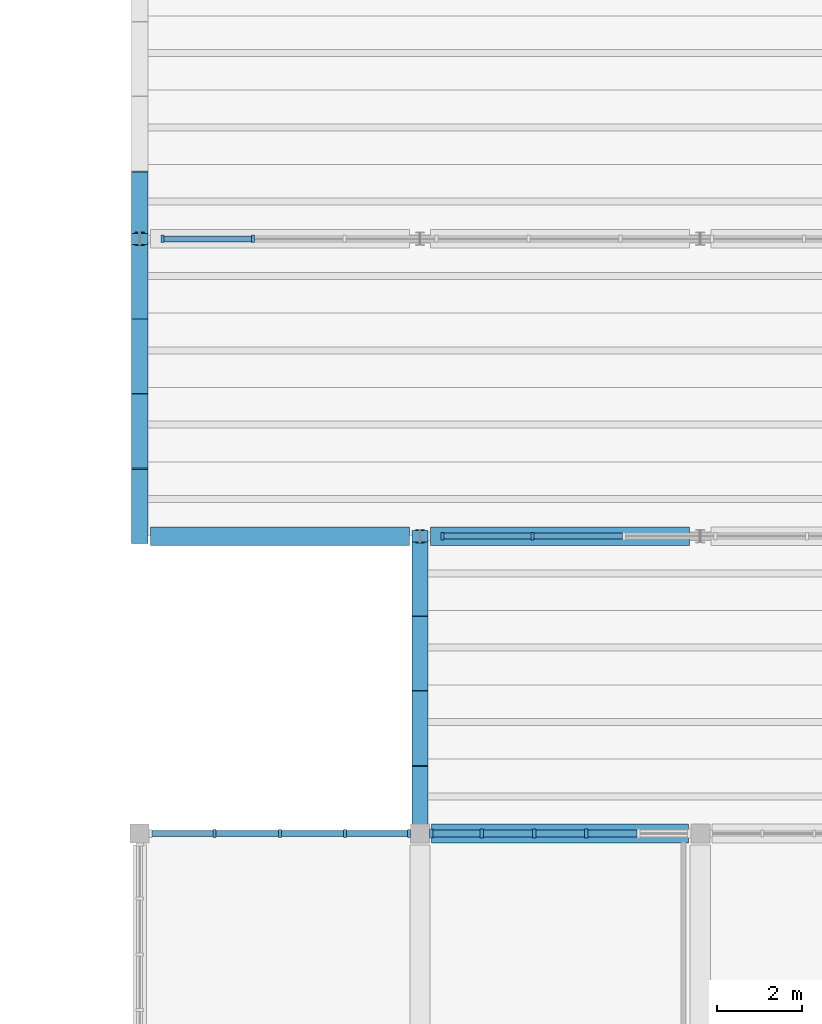
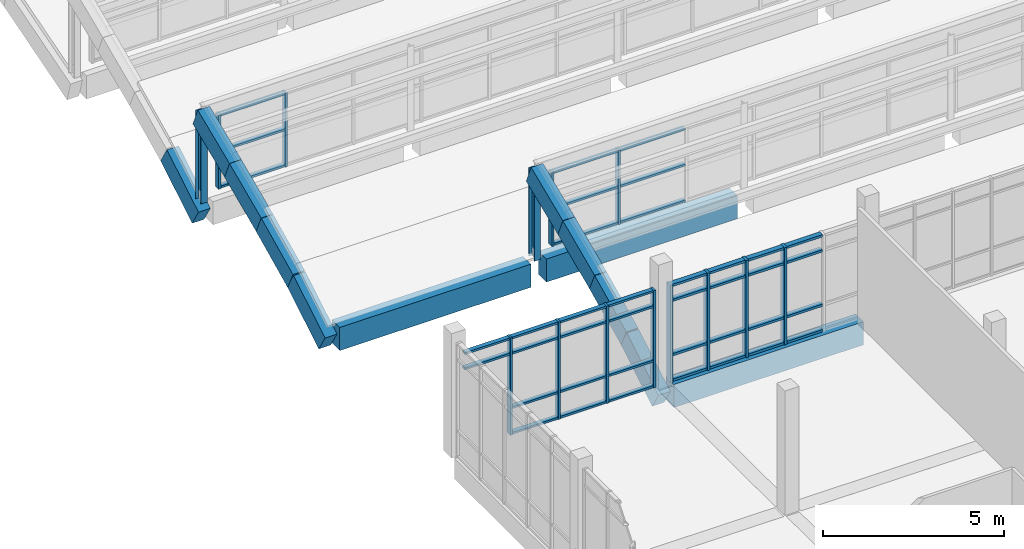
# One storey, part 6 of 92: 53 members, 12 beams, 4 elements without a shape of their own.
"""IFC4 building model written with IfcOpenShell, lengths in metres."""

from ifc_helpers import new_model, si_unit, direction, frame, origin, origin_2d, place, context, subcontext, project, spatial, rectangle, i_section, extrude, material, material_profile, profile_set, type_object, element, aggregate, save


model = new_model("IFC4")

# Units and contexts
model_context = context("Model", 3, precision=1e-05, world=origin(), true_north=direction((0.0, 1.0)))
body_context = subcontext(model_context, "Body", "Model", "MODEL_VIEW")
ifc_project = project(units=[si_unit("LENGTHUNIT", "METRE"), si_unit("AREAUNIT", "SQUARE_METRE"), si_unit("VOLUMEUNIT", "CUBIC_METRE"), si_unit("PLANEANGLEUNIT", "RADIAN"), si_unit("MASSUNIT", "GRAM", prefix="KILO")], contexts=[model_context])

# Site, building, storey
site_placement = place(None, origin())
site = spatial("IfcSite", under=ifc_project, at=site_placement, CompositionType="ELEMENT")
building_placement = place(site_placement, origin())
building = spatial("IfcBuilding", under=site, at=building_placement, Name="Ciguamira Faculty of Natural Sciences", CompositionType="ELEMENT")
storey_placement = place(building_placement, frame((0.0, 0.0, 16.800048828125)))
storey = spatial("IfcBuildingStorey", under=building, at=storey_placement, Name="L04", CompositionType="ELEMENT", Elevation=16.800048828125)

# Curtain wall, members
ifc_material_1 = material(Name="Anodized aluminium curtain wall", Category="aluminium")
curtain_wall_type_1 = type_object("IfcCurtainWallType", Name="CurtainWall_CW-05", PredefinedType="USERDEFINED", material=ifc_material_1)
curtain_wall_1_placement = place(storey_placement, origin())
curtain_wall_1 = element("IfcCurtainWall", 1, at=curtain_wall_1_placement, inside=storey, type_object=curtain_wall_type_1, Name="L04 unitised curtain wall 0113", ObjectType="UNITISED CURTAIN WALL", PredefinedType="USERDEFINED")
ifc_material_2 = material(Name="Anodized aluminium mullion", Category="aluminium")
ifc_material_profile_1 = material_profile(ifc_material_2, rectangle(XDim=0.070068359375, YDim=0.179931640625, at=origin_2d()), Name="ALU-MUL-70X180")
ifc_profile_set_1 = profile_set([ifc_material_profile_1], Name="Anodized aluminium mullion")
member_type_1 = type_object("IfcMemberType", Name="CWMullion_CWM-02", PredefinedType="MULLION", material=ifc_profile_set_1)
member_1_placement = place(storey_placement, frame((59.0625, 38.0, 0.0), z_axis=(0.0, 0.0, 1.0), x_axis=(1.0, 0.0, 0.0)))
member_1 = element("IfcMember", 2, at=member_1_placement, type_object=member_type_1, Name="CW-05 mullion 2", PredefinedType="MULLION", context=body_context, shape_type="SweptSolid", body=[
    extrude(rectangle(XDim=0.070068359375, YDim=0.179931640625, at=origin_2d()), origin(), (0.0, 0.0, 1.0), 3.284912109375),
])
member_2_placement = place(storey_placement, frame((60.60009765625, 38.0, 0.0), z_axis=(0.0, 0.0, 1.0), x_axis=(1.0, 0.0, 0.0)))
member_2 = element("IfcMember", 3, at=member_2_placement, type_object=member_type_1, Name="CW-05 mullion 3", PredefinedType="MULLION", context=body_context, shape_type="SweptSolid", body=[
    extrude(rectangle(XDim=0.070068359375, YDim=0.179931640625, at=origin_2d()), origin(), (0.0, 0.0, 1.0), 3.284912109375),
])
member_3_placement = place(storey_placement, frame((62.137451171875, 38.0, 0.0), z_axis=(0.0, 0.0, 1.0), x_axis=(1.0, 0.0, 0.0)))
member_3 = element("IfcMember", 4, at=member_3_placement, type_object=member_type_1, Name="CW-05 mullion 4", PredefinedType="MULLION", context=body_context, shape_type="SweptSolid", body=[
    extrude(rectangle(XDim=0.070068359375, YDim=0.179931640625, at=origin_2d()), origin(), (0.0, 0.0, 1.0), 3.284912109375),
])
member_4_placement = place(storey_placement, frame((63.639892578125, 38.0, 0.0), z_axis=(0.0, 0.0, 1.0), x_axis=(1.0, 0.0, 0.0)))
member_4 = element("IfcMember", 5, at=member_4_placement, type_object=member_type_1, Name="CW-05 mullion 5", PredefinedType="MULLION", context=body_context, shape_type="SweptSolid", body=[
    extrude(rectangle(XDim=0.070068359375, YDim=0.179931640625, at=origin_2d()), origin(), (0.0, 0.0, 1.0), 3.284912109375),
])

curtain_wall_type_2 = type_object("IfcCurtainWallType", Name="CurtainWall_CW-02", PredefinedType="USERDEFINED", material=ifc_material_1)
curtain_wall_2_placement = place(storey_placement, origin())
curtain_wall_2 = element("IfcCurtainWall", 6, at=curtain_wall_2_placement, inside=storey, type_object=curtain_wall_type_2, Name="V4 north-light wave 1 clerestory glazing 1", ObjectType="UNITISED CURTAIN WALL", PredefinedType="USERDEFINED")
member_5_placement = place(storey_placement, frame((64.43505859375, 45.0, 0.25), z_axis=(0.0, 0.0, 1.0), x_axis=(1.0, 0.0, 0.0)))
member_5 = element("IfcMember", 7, at=member_5_placement, type_object=member_type_1, Name="CW-02 mullion 1", PredefinedType="MULLION", context=body_context, shape_type="SweptSolid", body=[
    extrude(rectangle(XDim=0.070068359375, YDim=0.179931640625, at=origin_2d()), origin(), (0.0, 0.0, 1.0), 2.5),
])
member_6_placement = place(storey_placement, frame((66.552490234375, 45.0, 0.25), z_axis=(0.0, 0.0, 1.0), x_axis=(1.0, 0.0, 0.0)))
member_6 = element("IfcMember", 8, at=member_6_placement, type_object=member_type_1, Name="CW-02 mullion 2", PredefinedType="MULLION", context=body_context, shape_type="SweptSolid", body=[
    extrude(rectangle(XDim=0.070068359375, YDim=0.179931640625, at=origin_2d()), origin(), (0.0, 0.0, 1.0), 2.5),
])

curtain_wall_type_3 = type_object("IfcCurtainWallType", Name="CurtainWall_CW-03", PredefinedType="USERDEFINED", material=ifc_material_1)
curtain_wall_3_placement = place(storey_placement, origin())
curtain_wall_3 = element("IfcCurtainWall", 9, at=curtain_wall_3_placement, inside=storey, type_object=curtain_wall_type_3, Name="V4 north-light wave 2 clerestory glazing 1", ObjectType="UNITISED CURTAIN WALL", PredefinedType="USERDEFINED")
member_7_placement = place(storey_placement, frame((57.8349609375, 52.0, 0.25), z_axis=(0.0, 0.0, 1.0), x_axis=(1.0, 0.0, 0.0)))
member_7 = element("IfcMember", 10, at=member_7_placement, type_object=member_type_1, Name="CW-03 mullion 1", PredefinedType="MULLION", context=body_context, shape_type="SweptSolid", body=[
    extrude(rectangle(XDim=0.070068359375, YDim=0.179931640625, at=origin_2d()), origin(), (0.0, 0.0, 1.0), 2.5),
])
member_8_placement = place(storey_placement, frame((59.962890625, 52.0, 0.25), z_axis=(0.0, 0.0, 1.0), x_axis=(1.0, 0.0, 0.0)))
member_8 = element("IfcMember", 11, at=member_8_placement, type_object=member_type_1, Name="CW-03 mullion 2", PredefinedType="MULLION", context=body_context, shape_type="SweptSolid", body=[
    extrude(rectangle(XDim=0.070068359375, YDim=0.179931640625, at=origin_2d()), origin(), (0.0, 0.0, 1.0), 2.5),
])

curtain_wall_type_4 = type_object("IfcCurtainWallType", Name="CurtainWall_CW-06", PredefinedType="USERDEFINED", material=ifc_material_1)
curtain_wall_4_placement = place(storey_placement, origin())
curtain_wall_4 = element("IfcCurtainWall", 12, at=curtain_wall_4_placement, inside=storey, type_object=curtain_wall_type_4, Name="L04 unitised curtain wall 0114", ObjectType="UNITISED CURTAIN WALL", PredefinedType="USERDEFINED")
ifc_material_profile_2 = material_profile(ifc_material_2, rectangle(XDim=0.080078125, YDim=0.219970703125, at=origin_2d()), Name="ALU-MUL-80X220")
ifc_profile_set_2 = profile_set([ifc_material_profile_2], Name="Anodized aluminium mullion")
member_type_2 = type_object("IfcMemberType", Name="CWMullion_CWM-03", PredefinedType="MULLION", material=ifc_profile_set_2)
member_9_placement = place(storey_placement, frame((64.1650390625, 38.0, 0.0), z_axis=(0.0, 0.0, 1.0), x_axis=(1.0, 0.0, 0.0)))
member_9 = element("IfcMember", 13, at=member_9_placement, type_object=member_type_2, Name="CW-06 mullion 1", PredefinedType="MULLION", context=body_context, shape_type="SweptSolid", body=[
    extrude(rectangle(XDim=0.080078125, YDim=0.219970703125, at=origin_2d()), origin(), (0.0, 0.0, 1.0), 3.284912109375),
])
member_10_placement = place(storey_placement, frame((65.35498046875, 38.0, 0.0), z_axis=(0.0, 0.0, 1.0), x_axis=(1.0, 0.0, 0.0)))
member_10 = element("IfcMember", 14, at=member_10_placement, type_object=member_type_2, Name="CW-06 mullion 2", PredefinedType="MULLION", context=body_context, shape_type="SweptSolid", body=[
    extrude(rectangle(XDim=0.080078125, YDim=0.219970703125, at=origin_2d()), origin(), (0.0, 0.0, 1.0), 3.284912109375),
])
member_11_placement = place(storey_placement, frame((66.5849609375, 38.0, 0.0), z_axis=(0.0, 0.0, 1.0), x_axis=(1.0, 0.0, 0.0)))
member_11 = element("IfcMember", 15, at=member_11_placement, type_object=member_type_2, Name="CW-06 mullion 3", PredefinedType="MULLION", context=body_context, shape_type="SweptSolid", body=[
    extrude(rectangle(XDim=0.080078125, YDim=0.219970703125, at=origin_2d()), origin(), (0.0, 0.0, 1.0), 3.284912109375),
])
member_12_placement = place(storey_placement, frame((67.81494140625, 38.0, 0.0), z_axis=(0.0, 0.0, 1.0), x_axis=(1.0, 0.0, 0.0)))
member_12 = element("IfcMember", 16, at=member_12_placement, type_object=member_type_2, Name="CW-06 mullion 4", PredefinedType="MULLION", context=body_context, shape_type="SweptSolid", body=[
    extrude(rectangle(XDim=0.080078125, YDim=0.219970703125, at=origin_2d()), origin(), (0.0, 0.0, 1.0), 3.284912109375),
])

# Member
ifc_material_3 = material(Name="Anodized aluminium transom", Category="aluminium")
ifc_material_profile_3 = material_profile(ifc_material_3, rectangle(XDim=0.070068359375, YDim=0.139892578125, at=origin_2d()), Name="ALU-TRN-70X140")
ifc_profile_set_3 = profile_set([ifc_material_profile_3], Name="Anodized aluminium transom")
member_type_3 = type_object("IfcMemberType", Name="CWTransom_CWT-02", PredefinedType="USERDEFINED", material=ifc_profile_set_3)
member_13_placement = place(storey_placement, frame((57.594970703125, 38.0, 2.73486328125), z_axis=(1.0, 0.0, 0.0), x_axis=(0.0, 0.0, 1.0)))
member_13 = element("IfcMember", 17, at=member_13_placement, type_object=member_type_3, Name="CW-05 transom 1.3", ObjectType="TRANSOM", PredefinedType="USERDEFINED", context=body_context, shape_type="SweptSolid", body=[
    extrude(rectangle(XDim=0.070068359375, YDim=0.139892578125, at=origin_2d()), origin(), (0.0, 0.0, 1.0), 1.4326171875),
])

member_14_placement = place(storey_placement, frame((57.594970703125, 38.0, 3.25), z_axis=(1.0, 0.0, 0.0), x_axis=(0.0, 0.0, 1.0)))
member_14 = element("IfcMember", 18, at=member_14_placement, type_object=member_type_3, Name="CW-05 transom 1.4", ObjectType="TRANSOM", PredefinedType="USERDEFINED", context=body_context, shape_type="SweptSolid", body=[
    extrude(rectangle(XDim=0.070068359375, YDim=0.139892578125, at=origin_2d()), origin(), (0.0, 0.0, 1.0), 1.4326171875),
])

member_15_placement = place(storey_placement, frame((59.097412109375, 38.0, 0.034912109375), z_axis=(1.0, 0.0, 0.0), x_axis=(0.0, 0.0, 1.0)))
member_15 = element("IfcMember", 19, at=member_15_placement, type_object=member_type_3, Name="CW-05 transom 2.1", ObjectType="TRANSOM", PredefinedType="USERDEFINED", context=body_context, shape_type="SweptSolid", body=[
    extrude(rectangle(XDim=0.070068359375, YDim=0.139892578125, at=origin_2d()), origin(), (0.0, 0.0, 1.0), 1.467529296875),
])

member_16_placement = place(storey_placement, frame((59.097412109375, 38.0, 0.89990234375), z_axis=(1.0, 0.0, 0.0), x_axis=(0.0, 0.0, 1.0)))
member_16 = element("IfcMember", 20, at=member_16_placement, type_object=member_type_3, Name="CW-05 transom 2.2", ObjectType="TRANSOM", PredefinedType="USERDEFINED", context=body_context, shape_type="SweptSolid", body=[
    extrude(rectangle(XDim=0.070068359375, YDim=0.139892578125, at=origin_2d()), origin(), (0.0, 0.0, 1.0), 1.467529296875),
])

member_17_placement = place(storey_placement, frame((59.097412109375, 38.0, 2.73486328125), z_axis=(1.0, 0.0, 0.0), x_axis=(0.0, 0.0, 1.0)))
member_17 = element("IfcMember", 21, at=member_17_placement, type_object=member_type_3, Name="CW-05 transom 2.3", ObjectType="TRANSOM", PredefinedType="USERDEFINED", context=body_context, shape_type="SweptSolid", body=[
    extrude(rectangle(XDim=0.070068359375, YDim=0.139892578125, at=origin_2d()), origin(), (0.0, 0.0, 1.0), 1.467529296875),
])

member_18_placement = place(storey_placement, frame((59.097412109375, 38.0, 3.25), z_axis=(1.0, 0.0, 0.0), x_axis=(0.0, 0.0, 1.0)))
member_18 = element("IfcMember", 22, at=member_18_placement, type_object=member_type_3, Name="CW-05 transom 2.4", ObjectType="TRANSOM", PredefinedType="USERDEFINED", context=body_context, shape_type="SweptSolid", body=[
    extrude(rectangle(XDim=0.070068359375, YDim=0.139892578125, at=origin_2d()), origin(), (0.0, 0.0, 1.0), 1.467529296875),
])

member_19_placement = place(storey_placement, frame((60.635009765625, 38.0, 0.034912109375), z_axis=(1.0, 0.0, 0.0), x_axis=(0.0, 0.0, 1.0)))
member_19 = element("IfcMember", 23, at=member_19_placement, type_object=member_type_3, Name="CW-05 transom 3.1", ObjectType="TRANSOM", PredefinedType="USERDEFINED", context=body_context, shape_type="SweptSolid", body=[
    extrude(rectangle(XDim=0.070068359375, YDim=0.139892578125, at=origin_2d()), origin(), (0.0, 0.0, 1.0), 1.467529296875),
])

member_20_placement = place(storey_placement, frame((60.635009765625, 38.0, 0.89990234375), z_axis=(1.0, 0.0, 0.0), x_axis=(0.0, 0.0, 1.0)))
member_20 = element("IfcMember", 24, at=member_20_placement, type_object=member_type_3, Name="CW-05 transom 3.2", ObjectType="TRANSOM", PredefinedType="USERDEFINED", context=body_context, shape_type="SweptSolid", body=[
    extrude(rectangle(XDim=0.070068359375, YDim=0.139892578125, at=origin_2d()), origin(), (0.0, 0.0, 1.0), 1.467529296875),
])

member_21_placement = place(storey_placement, frame((60.635009765625, 38.0, 2.73486328125), z_axis=(1.0, 0.0, 0.0), x_axis=(0.0, 0.0, 1.0)))
member_21 = element("IfcMember", 25, at=member_21_placement, type_object=member_type_3, Name="CW-05 transom 3.3", ObjectType="TRANSOM", PredefinedType="USERDEFINED", context=body_context, shape_type="SweptSolid", body=[
    extrude(rectangle(XDim=0.070068359375, YDim=0.139892578125, at=origin_2d()), origin(), (0.0, 0.0, 1.0), 1.467529296875),
])

member_22_placement = place(storey_placement, frame((60.635009765625, 38.0, 3.25), z_axis=(1.0, 0.0, 0.0), x_axis=(0.0, 0.0, 1.0)))
member_22 = element("IfcMember", 26, at=member_22_placement, type_object=member_type_3, Name="CW-05 transom 3.4", ObjectType="TRANSOM", PredefinedType="USERDEFINED", context=body_context, shape_type="SweptSolid", body=[
    extrude(rectangle(XDim=0.070068359375, YDim=0.139892578125, at=origin_2d()), origin(), (0.0, 0.0, 1.0), 1.467529296875),
])

member_23_placement = place(storey_placement, frame((62.172607421875, 38.0, 0.034912109375), z_axis=(1.0, 0.0, 0.0), x_axis=(0.0, 0.0, 1.0)))
member_23 = element("IfcMember", 27, at=member_23_placement, type_object=member_type_3, Name="CW-05 transom 4.1", ObjectType="TRANSOM", PredefinedType="USERDEFINED", context=body_context, shape_type="SweptSolid", body=[
    extrude(rectangle(XDim=0.070068359375, YDim=0.139892578125, at=origin_2d()), origin(), (0.0, 0.0, 1.0), 1.432373046875),
])

member_24_placement = place(storey_placement, frame((62.172607421875, 38.0, 0.89990234375), z_axis=(1.0, 0.0, 0.0), x_axis=(0.0, 0.0, 1.0)))
member_24 = element("IfcMember", 28, at=member_24_placement, type_object=member_type_3, Name="CW-05 transom 4.2", ObjectType="TRANSOM", PredefinedType="USERDEFINED", context=body_context, shape_type="SweptSolid", body=[
    extrude(rectangle(XDim=0.070068359375, YDim=0.139892578125, at=origin_2d()), origin(), (0.0, 0.0, 1.0), 1.432373046875),
])

member_25_placement = place(storey_placement, frame((62.172607421875, 38.0, 2.73486328125), z_axis=(1.0, 0.0, 0.0), x_axis=(0.0, 0.0, 1.0)))
member_25 = element("IfcMember", 29, at=member_25_placement, type_object=member_type_3, Name="CW-05 transom 4.3", ObjectType="TRANSOM", PredefinedType="USERDEFINED", context=body_context, shape_type="SweptSolid", body=[
    extrude(rectangle(XDim=0.070068359375, YDim=0.139892578125, at=origin_2d()), origin(), (0.0, 0.0, 1.0), 1.432373046875),
])

member_26_placement = place(storey_placement, frame((62.172607421875, 38.0, 3.25), z_axis=(1.0, 0.0, 0.0), x_axis=(0.0, 0.0, 1.0)))
member_26 = element("IfcMember", 30, at=member_26_placement, type_object=member_type_3, Name="CW-05 transom 4.4", ObjectType="TRANSOM", PredefinedType="USERDEFINED", context=body_context, shape_type="SweptSolid", body=[
    extrude(rectangle(XDim=0.070068359375, YDim=0.139892578125, at=origin_2d()), origin(), (0.0, 0.0, 1.0), 1.432373046875),
])

aggregate(curtain_wall_1, [member_1, member_2, member_3, member_4, member_13, member_14, member_15, member_16, member_17, member_18, member_19, member_20, member_21, member_22, member_23, member_24, member_25, member_26])

member_27_placement = place(storey_placement, frame((64.469970703125, 45.0, 0.284912109375), z_axis=(1.0, 0.0, 0.0), x_axis=(0.0, 0.0, 1.0)))
member_27 = element("IfcMember", 31, at=member_27_placement, type_object=member_type_3, Name="CW-02 transom 1.1", ObjectType="TRANSOM", PredefinedType="USERDEFINED", context=body_context, shape_type="SweptSolid", body=[
    extrude(rectangle(XDim=0.070068359375, YDim=0.139892578125, at=origin_2d()), origin(), (0.0, 0.0, 1.0), 2.04736328125),
])

member_28_placement = place(storey_placement, frame((64.469970703125, 45.0, 1.5), z_axis=(1.0, 0.0, 0.0), x_axis=(0.0, 0.0, 1.0)))
member_28 = element("IfcMember", 32, at=member_28_placement, type_object=member_type_3, Name="CW-02 transom 1.2", ObjectType="TRANSOM", PredefinedType="USERDEFINED", context=body_context, shape_type="SweptSolid", body=[
    extrude(rectangle(XDim=0.070068359375, YDim=0.139892578125, at=origin_2d()), origin(), (0.0, 0.0, 1.0), 2.04736328125),
])

member_29_placement = place(storey_placement, frame((64.469970703125, 45.0, 2.71484375), z_axis=(1.0, 0.0, 0.0), x_axis=(0.0, 0.0, 1.0)))
member_29 = element("IfcMember", 33, at=member_29_placement, type_object=member_type_3, Name="CW-02 transom 1.3", ObjectType="TRANSOM", PredefinedType="USERDEFINED", context=body_context, shape_type="SweptSolid", body=[
    extrude(rectangle(XDim=0.070068359375, YDim=0.139892578125, at=origin_2d()), origin(), (0.0, 0.0, 1.0), 2.04736328125),
])

member_30_placement = place(storey_placement, frame((66.58740234375, 45.0, 0.284912109375), z_axis=(1.0, 0.0, 0.0), x_axis=(0.0, 0.0, 1.0)))
member_30 = element("IfcMember", 34, at=member_30_placement, type_object=member_type_3, Name="CW-02 transom 2.1", ObjectType="TRANSOM", PredefinedType="USERDEFINED", context=body_context, shape_type="SweptSolid", body=[
    extrude(rectangle(XDim=0.070068359375, YDim=0.139892578125, at=origin_2d()), origin(), (0.0, 0.0, 1.0), 2.082275390625),
])

member_31_placement = place(storey_placement, frame((66.58740234375, 45.0, 1.5), z_axis=(1.0, 0.0, 0.0), x_axis=(0.0, 0.0, 1.0)))
member_31 = element("IfcMember", 35, at=member_31_placement, type_object=member_type_3, Name="CW-02 transom 2.2", ObjectType="TRANSOM", PredefinedType="USERDEFINED", context=body_context, shape_type="SweptSolid", body=[
    extrude(rectangle(XDim=0.070068359375, YDim=0.139892578125, at=origin_2d()), origin(), (0.0, 0.0, 1.0), 2.082275390625),
])

member_32_placement = place(storey_placement, frame((66.58740234375, 45.0, 2.71484375), z_axis=(1.0, 0.0, 0.0), x_axis=(0.0, 0.0, 1.0)))
member_32 = element("IfcMember", 36, at=member_32_placement, type_object=member_type_3, Name="CW-02 transom 2.3", ObjectType="TRANSOM", PredefinedType="USERDEFINED", context=body_context, shape_type="SweptSolid", body=[
    extrude(rectangle(XDim=0.070068359375, YDim=0.139892578125, at=origin_2d()), origin(), (0.0, 0.0, 1.0), 2.082275390625),
])

aggregate(curtain_wall_2, [member_5, member_6, member_27, member_28, member_29, member_30, member_31, member_32])

member_33_placement = place(storey_placement, frame((57.8701171875, 52.0, 0.284912109375), z_axis=(1.0, 0.0, 0.0), x_axis=(0.0, 0.0, 1.0)))
member_33 = element("IfcMember", 37, at=member_33_placement, type_object=member_type_3, Name="CW-03 transom 1.1", ObjectType="TRANSOM", PredefinedType="USERDEFINED", context=body_context, shape_type="SweptSolid", body=[
    extrude(rectangle(XDim=0.070068359375, YDim=0.139892578125, at=origin_2d()), origin(), (0.0, 0.0, 1.0), 2.057861328125),
])

member_34_placement = place(storey_placement, frame((57.8701171875, 52.0, 1.5), z_axis=(1.0, 0.0, 0.0), x_axis=(0.0, 0.0, 1.0)))
member_34 = element("IfcMember", 38, at=member_34_placement, type_object=member_type_3, Name="CW-03 transom 1.2", ObjectType="TRANSOM", PredefinedType="USERDEFINED", context=body_context, shape_type="SweptSolid", body=[
    extrude(rectangle(XDim=0.070068359375, YDim=0.139892578125, at=origin_2d()), origin(), (0.0, 0.0, 1.0), 2.057861328125),
])

member_35_placement = place(storey_placement, frame((57.8701171875, 52.0, 2.71484375), z_axis=(1.0, 0.0, 0.0), x_axis=(0.0, 0.0, 1.0)))
member_35 = element("IfcMember", 39, at=member_35_placement, type_object=member_type_3, Name="CW-03 transom 1.3", ObjectType="TRANSOM", PredefinedType="USERDEFINED", context=body_context, shape_type="SweptSolid", body=[
    extrude(rectangle(XDim=0.070068359375, YDim=0.139892578125, at=origin_2d()), origin(), (0.0, 0.0, 1.0), 2.057861328125),
])

aggregate(curtain_wall_3, [member_7, member_8, member_33, member_34, member_35])

ifc_material_profile_4 = material_profile(ifc_material_3, rectangle(XDim=0.080078125, YDim=0.159912109375, at=origin_2d()), Name="ALU-TRN-80X160")
ifc_profile_set_4 = profile_set([ifc_material_profile_4], Name="Anodized aluminium transom")
member_type_4 = type_object("IfcMemberType", Name="CWTransom_CWT-03", PredefinedType="USERDEFINED", material=ifc_profile_set_4)
member_36_placement = place(storey_placement, frame((64.205078125, 38.0, 0.0400390625), z_axis=(1.0, 0.0, 0.0), x_axis=(0.0, 0.0, 1.0)))
member_36 = element("IfcMember", 40, at=member_36_placement, type_object=member_type_4, Name="CW-06 transom 1.1", ObjectType="TRANSOM", PredefinedType="USERDEFINED", context=body_context, shape_type="SweptSolid", body=[
    extrude(rectangle(XDim=0.080078125, YDim=0.159912109375, at=origin_2d()), origin(), (0.0, 0.0, 1.0), 1.10986328125),
])

member_37_placement = place(storey_placement, frame((64.205078125, 38.0, 0.89990234375), z_axis=(1.0, 0.0, 0.0), x_axis=(0.0, 0.0, 1.0)))
member_37 = element("IfcMember", 41, at=member_37_placement, type_object=member_type_4, Name="CW-06 transom 1.2", ObjectType="TRANSOM", PredefinedType="USERDEFINED", context=body_context, shape_type="SweptSolid", body=[
    extrude(rectangle(XDim=0.080078125, YDim=0.159912109375, at=origin_2d()), origin(), (0.0, 0.0, 1.0), 1.10986328125),
])

member_38_placement = place(storey_placement, frame((64.205078125, 38.0, 2.73486328125), z_axis=(1.0, 0.0, 0.0), x_axis=(0.0, 0.0, 1.0)))
member_38 = element("IfcMember", 42, at=member_38_placement, type_object=member_type_4, Name="CW-06 transom 1.3", ObjectType="TRANSOM", PredefinedType="USERDEFINED", context=body_context, shape_type="SweptSolid", body=[
    extrude(rectangle(XDim=0.080078125, YDim=0.159912109375, at=origin_2d()), origin(), (0.0, 0.0, 1.0), 1.10986328125),
])

member_39_placement = place(storey_placement, frame((64.205078125, 38.0, 3.244873046875), z_axis=(1.0, 0.0, 0.0), x_axis=(0.0, 0.0, 1.0)))
member_39 = element("IfcMember", 43, at=member_39_placement, type_object=member_type_4, Name="CW-06 transom 1.4", ObjectType="TRANSOM", PredefinedType="USERDEFINED", context=body_context, shape_type="SweptSolid", body=[
    extrude(rectangle(XDim=0.080078125, YDim=0.159912109375, at=origin_2d()), origin(), (0.0, 0.0, 1.0), 1.10986328125),
])

member_40_placement = place(storey_placement, frame((65.39501953125, 38.0, 0.0400390625), z_axis=(1.0, 0.0, 0.0), x_axis=(0.0, 0.0, 1.0)))
member_40 = element("IfcMember", 44, at=member_40_placement, type_object=member_type_4, Name="CW-06 transom 2.1", ObjectType="TRANSOM", PredefinedType="USERDEFINED", context=body_context, shape_type="SweptSolid", body=[
    extrude(rectangle(XDim=0.080078125, YDim=0.159912109375, at=origin_2d()), origin(), (0.0, 0.0, 1.0), 1.14990234375),
])

member_41_placement = place(storey_placement, frame((65.39501953125, 38.0, 0.89990234375), z_axis=(1.0, 0.0, 0.0), x_axis=(0.0, 0.0, 1.0)))
member_41 = element("IfcMember", 45, at=member_41_placement, type_object=member_type_4, Name="CW-06 transom 2.2", ObjectType="TRANSOM", PredefinedType="USERDEFINED", context=body_context, shape_type="SweptSolid", body=[
    extrude(rectangle(XDim=0.080078125, YDim=0.159912109375, at=origin_2d()), origin(), (0.0, 0.0, 1.0), 1.14990234375),
])

member_42_placement = place(storey_placement, frame((65.39501953125, 38.0, 2.73486328125), z_axis=(1.0, 0.0, 0.0), x_axis=(0.0, 0.0, 1.0)))
member_42 = element("IfcMember", 46, at=member_42_placement, type_object=member_type_4, Name="CW-06 transom 2.3", ObjectType="TRANSOM", PredefinedType="USERDEFINED", context=body_context, shape_type="SweptSolid", body=[
    extrude(rectangle(XDim=0.080078125, YDim=0.159912109375, at=origin_2d()), origin(), (0.0, 0.0, 1.0), 1.14990234375),
])

member_43_placement = place(storey_placement, frame((65.39501953125, 38.0, 3.244873046875), z_axis=(1.0, 0.0, 0.0), x_axis=(0.0, 0.0, 1.0)))
member_43 = element("IfcMember", 47, at=member_43_placement, type_object=member_type_4, Name="CW-06 transom 2.4", ObjectType="TRANSOM", PredefinedType="USERDEFINED", context=body_context, shape_type="SweptSolid", body=[
    extrude(rectangle(XDim=0.080078125, YDim=0.159912109375, at=origin_2d()), origin(), (0.0, 0.0, 1.0), 1.14990234375),
])

member_44_placement = place(storey_placement, frame((66.625, 38.0, 0.0400390625), z_axis=(1.0, 0.0, 0.0), x_axis=(0.0, 0.0, 1.0)))
member_44 = element("IfcMember", 48, at=member_44_placement, type_object=member_type_4, Name="CW-06 transom 3.1", ObjectType="TRANSOM", PredefinedType="USERDEFINED", context=body_context, shape_type="SweptSolid", body=[
    extrude(rectangle(XDim=0.080078125, YDim=0.159912109375, at=origin_2d()), origin(), (0.0, 0.0, 1.0), 1.14990234375),
])

member_45_placement = place(storey_placement, frame((66.625, 38.0, 0.89990234375), z_axis=(1.0, 0.0, 0.0), x_axis=(0.0, 0.0, 1.0)))
member_45 = element("IfcMember", 49, at=member_45_placement, type_object=member_type_4, Name="CW-06 transom 3.2", ObjectType="TRANSOM", PredefinedType="USERDEFINED", context=body_context, shape_type="SweptSolid", body=[
    extrude(rectangle(XDim=0.080078125, YDim=0.159912109375, at=origin_2d()), origin(), (0.0, 0.0, 1.0), 1.14990234375),
])

member_46_placement = place(storey_placement, frame((66.625, 38.0, 2.73486328125), z_axis=(1.0, 0.0, 0.0), x_axis=(0.0, 0.0, 1.0)))
member_46 = element("IfcMember", 50, at=member_46_placement, type_object=member_type_4, Name="CW-06 transom 3.3", ObjectType="TRANSOM", PredefinedType="USERDEFINED", context=body_context, shape_type="SweptSolid", body=[
    extrude(rectangle(XDim=0.080078125, YDim=0.159912109375, at=origin_2d()), origin(), (0.0, 0.0, 1.0), 1.14990234375),
])

member_47_placement = place(storey_placement, frame((66.625, 38.0, 3.244873046875), z_axis=(1.0, 0.0, 0.0), x_axis=(0.0, 0.0, 1.0)))
member_47 = element("IfcMember", 51, at=member_47_placement, type_object=member_type_4, Name="CW-06 transom 3.4", ObjectType="TRANSOM", PredefinedType="USERDEFINED", context=body_context, shape_type="SweptSolid", body=[
    extrude(rectangle(XDim=0.080078125, YDim=0.159912109375, at=origin_2d()), origin(), (0.0, 0.0, 1.0), 1.14990234375),
])

member_48_placement = place(storey_placement, frame((67.85498046875, 38.0, 0.0400390625), z_axis=(1.0, 0.0, 0.0), x_axis=(0.0, 0.0, 1.0)))
member_48 = element("IfcMember", 52, at=member_48_placement, type_object=member_type_4, Name="CW-06 transom 4.1", ObjectType="TRANSOM", PredefinedType="USERDEFINED", context=body_context, shape_type="SweptSolid", body=[
    extrude(rectangle(XDim=0.080078125, YDim=0.159912109375, at=origin_2d()), origin(), (0.0, 0.0, 1.0), 1.14990234375),
])

member_49_placement = place(storey_placement, frame((67.85498046875, 38.0, 0.89990234375), z_axis=(1.0, 0.0, 0.0), x_axis=(0.0, 0.0, 1.0)))
member_49 = element("IfcMember", 53, at=member_49_placement, type_object=member_type_4, Name="CW-06 transom 4.2", ObjectType="TRANSOM", PredefinedType="USERDEFINED", context=body_context, shape_type="SweptSolid", body=[
    extrude(rectangle(XDim=0.080078125, YDim=0.159912109375, at=origin_2d()), origin(), (0.0, 0.0, 1.0), 1.14990234375),
])

member_50_placement = place(storey_placement, frame((67.85498046875, 38.0, 2.73486328125), z_axis=(1.0, 0.0, 0.0), x_axis=(0.0, 0.0, 1.0)))
member_50 = element("IfcMember", 54, at=member_50_placement, type_object=member_type_4, Name="CW-06 transom 4.3", ObjectType="TRANSOM", PredefinedType="USERDEFINED", context=body_context, shape_type="SweptSolid", body=[
    extrude(rectangle(XDim=0.080078125, YDim=0.159912109375, at=origin_2d()), origin(), (0.0, 0.0, 1.0), 1.14990234375),
])

member_51_placement = place(storey_placement, frame((67.85498046875, 38.0, 3.244873046875), z_axis=(1.0, 0.0, 0.0), x_axis=(0.0, 0.0, 1.0)))
member_51 = element("IfcMember", 55, at=member_51_placement, type_object=member_type_4, Name="CW-06 transom 4.4", ObjectType="TRANSOM", PredefinedType="USERDEFINED", context=body_context, shape_type="SweptSolid", body=[
    extrude(rectangle(XDim=0.080078125, YDim=0.159912109375, at=origin_2d()), origin(), (0.0, 0.0, 1.0), 1.14990234375),
])

aggregate(curtain_wall_4, [member_9, member_10, member_11, member_12, member_36, member_37, member_38, member_39, member_40, member_41, member_42, member_43, member_44, member_45, member_46, member_47, member_48, member_49, member_50, member_51])

# Beams
ifc_material_4 = material(Name="Concrete C40/50", Category="concrete")
ifc_material_profile_5 = material_profile(ifc_material_4, rectangle(XDim=0.43994140625, YDim=0.780029296875, at=origin_2d()), Name="RC-BM-440X780")
ifc_profile_set_5 = profile_set([ifc_material_profile_5], Name="Concrete C40/50")
beam_type_1 = type_object("IfcBeamType", Name="RCBeam_BG-06_RC-BM-440X780", PredefinedType="BEAM", material=ifc_profile_set_5)
beam_1_placement = place(storey_placement, frame((64.175048828125, 38.0, -0.39013671875), z_axis=(1.0, 0.0, 0.0), x_axis=(0.0, 1.0, 0.0)))
element("IfcBeam", 56, at=beam_1_placement, inside=storey, type_object=beam_type_1, Name="V4 north-light wave 1 RC valley beam VAL-1-1", PredefinedType="BEAM", context=body_context, shape_type="SweptSolid", body=[
    extrude(rectangle(XDim=0.43994140625, YDim=0.780029296875, at=origin_2d()), origin(), (0.0, 0.0, 1.0), 6.050048828125),
])
beam_2_placement = place(storey_placement, frame((64.14990234375, 45.0, -0.39013671875), z_axis=(1.0, 0.0, 0.0), x_axis=(0.0, 1.0, 0.0)))
element("IfcBeam", 57, at=beam_2_placement, inside=storey, type_object=beam_type_1, Name="V4 north-light wave 1 RC valley beam NVL-1-1", PredefinedType="BEAM", context=body_context, shape_type="SweptSolid", body=[
    extrude(rectangle(XDim=0.43994140625, YDim=0.780029296875, at=origin_2d()), origin(), (0.0, 0.0, 1.0), 6.10009765625),
])
beam_3_placement = place(storey_placement, frame((57.550048828125, 45.0, -0.39013671875), z_axis=(1.0, 0.0, 0.0), x_axis=(0.0, 1.0, 0.0)))
element("IfcBeam", 58, at=beam_3_placement, inside=storey, type_object=beam_type_1, Name="V4 north-light wave 2 RC valley beam VAL-1-1", PredefinedType="BEAM", context=body_context, shape_type="SweptSolid", body=[
    extrude(rectangle(XDim=0.43994140625, YDim=0.780029296875, at=origin_2d()), origin(), (0.0, 0.0, 1.0), 6.099853515625),
])
ifc_material_profile_6 = material_profile(ifc_material_4, rectangle(XDim=0.3798828125, YDim=0.679931640625, at=origin_2d()), Name="RC-BM-380X680")
ifc_profile_set_6 = profile_set([ifc_material_profile_6], Name="Concrete C40/50")
beam_type_2 = type_object("IfcBeamType", Name="RCBeam_BG-09_RC-BM-380X680", PredefinedType="BEAM", material=ifc_profile_set_6)
beam_4_placement = place(storey_placement, frame((63.89990234375, 38.0, -0.52001953125), z_axis=(0.0, 0.858273746902, 0.513192142749), x_axis=(-1.0, 0.0, 0.0)))
element("IfcBeam", 59, at=beam_4_placement, inside=storey, type_object=beam_type_2, Name="V4 wave roof RC edge arch rib 1-1-1-1", PredefinedType="BEAM", context=body_context, shape_type="SweptSolid", body=[
    extrude(rectangle(XDim=0.3798828125, YDim=0.679931640625, at=origin_2d()), origin(), (0.0, 0.0, 1.0), 2.0390625),
])
beam_5_placement = place(storey_placement, frame((63.89990234375, 39.75, 0.5263671875), z_axis=(0.0, 0.901554457929, 0.432665643872), x_axis=(-1.0, 0.0, 0.0)))
element("IfcBeam", 60, at=beam_5_placement, inside=storey, type_object=beam_type_2, Name="V4 wave roof RC edge arch rib 1-1-2-1", PredefinedType="BEAM", context=body_context, shape_type="SweptSolid", body=[
    extrude(rectangle(XDim=0.3798828125, YDim=0.679931640625, at=origin_2d()), origin(), (0.0, 0.0, 1.0), 1.941162109375),
])
beam_6_placement = place(storey_placement, frame((63.89990234375, 41.5, 1.3662109375), z_axis=(0.0, 0.914132059628, 0.405416548208), x_axis=(-1.0, 0.0, 0.0)))
element("IfcBeam", 61, at=beam_6_placement, inside=storey, type_object=beam_type_2, Name="V4 wave roof RC edge arch rib 1-1-3-1", PredefinedType="BEAM", context=body_context, shape_type="SweptSolid", body=[
    extrude(rectangle(XDim=0.3798828125, YDim=0.679931640625, at=origin_2d()), origin(), (0.0, 0.0, 1.0), 1.914306640625),
])
beam_7_placement = place(storey_placement, frame((63.89990234375, 43.25, 2.142333984375), z_axis=(0.0, 0.921502225808, 0.388373078148), x_axis=(-1.0, 0.0, 0.0)))
element("IfcBeam", 62, at=beam_7_placement, inside=storey, type_object=beam_type_2, Name="V4 wave roof RC edge arch rib 1-1-4-1", PredefinedType="BEAM", context=body_context, shape_type="SweptSolid", body=[
    extrude(rectangle(XDim=0.3798828125, YDim=0.679931640625, at=origin_2d()), origin(), (0.0, 0.0, 1.0), 1.899169921875),
])
beam_8_placement = place(storey_placement, frame((57.300048828125, 45.0, -0.52001953125), z_axis=(0.0, 0.858273746902, 0.513192142749), x_axis=(-1.0, 0.0, 0.0)))
element("IfcBeam", 63, at=beam_8_placement, inside=storey, type_object=beam_type_2, Name="V4 wave roof RC edge arch rib 2-1-1-1", PredefinedType="BEAM", context=body_context, shape_type="SweptSolid", body=[
    extrude(rectangle(XDim=0.3798828125, YDim=0.679931640625, at=origin_2d()), origin(), (0.0, 0.0, 1.0), 2.0390625),
])
beam_9_placement = place(storey_placement, frame((57.300048828125, 46.75, 0.5263671875), z_axis=(0.0, 0.901554457929, 0.432665643872), x_axis=(-1.0, 0.0, 0.0)))
element("IfcBeam", 64, at=beam_9_placement, inside=storey, type_object=beam_type_2, Name="V4 wave roof RC edge arch rib 2-1-2-1", PredefinedType="BEAM", context=body_context, shape_type="SweptSolid", body=[
    extrude(rectangle(XDim=0.3798828125, YDim=0.679931640625, at=origin_2d()), origin(), (0.0, 0.0, 1.0), 1.941162109375),
])
beam_10_placement = place(storey_placement, frame((57.300048828125, 48.5, 1.3662109375), z_axis=(0.0, 0.914132059628, 0.405416548208), x_axis=(-1.0, 0.0, 0.0)))
element("IfcBeam", 65, at=beam_10_placement, inside=storey, type_object=beam_type_2, Name="V4 wave roof RC edge arch rib 2-1-3-1", PredefinedType="BEAM", context=body_context, shape_type="SweptSolid", body=[
    extrude(rectangle(XDim=0.3798828125, YDim=0.679931640625, at=origin_2d()), origin(), (0.0, 0.0, 1.0), 1.914306640625),
])
beam_11_placement = place(storey_placement, frame((57.300048828125, 50.25, 2.142333984375), z_axis=(0.0, 0.921502225808, 0.388373078148), x_axis=(-1.0, 0.0, 0.0)))
element("IfcBeam", 66, at=beam_11_placement, inside=storey, type_object=beam_type_2, Name="V4 wave roof RC edge arch rib 2-1-4-1", PredefinedType="BEAM", context=body_context, shape_type="SweptSolid", body=[
    extrude(rectangle(XDim=0.3798828125, YDim=0.679931640625, at=origin_2d()), origin(), (0.0, 0.0, 1.0), 1.899169921875),
])
beam_12_placement = place(storey_placement, frame((57.300048828125, 52.0, -0.52001953125), z_axis=(0.0, 0.858273746902, 0.513192142749), x_axis=(-1.0, 0.0, 0.0)))
element("IfcBeam", 67, at=beam_12_placement, inside=storey, type_object=beam_type_2, Name="V4 wave roof RC edge arch rib 3-1-1-1", PredefinedType="BEAM", context=body_context, shape_type="SweptSolid", body=[
    extrude(rectangle(XDim=0.3798828125, YDim=0.679931640625, at=origin_2d()), origin(), (0.0, 0.0, 1.0), 2.0390625),
])

# Members
ifc_material_5 = material(Name="Steel ASTM A992 Grade 50", Category="steel")
ifc_material_profile_7 = material_profile(ifc_material_5, i_section(OverallWidth=0.20458984375, OverallDepth=0.307373046875, WebThickness=0.008544921875, FlangeThickness=0.0146484375, at=origin_2d()), Name="W12X45")
ifc_profile_set_7 = profile_set([ifc_material_profile_7], Name="Steel ASTM A992 Grade 50")
member_type_5 = type_object("IfcMemberType", Name="SteelMember_TS-01_W12X45", PredefinedType="STRUT", material=ifc_profile_set_7)
for number, where, z_axis, x_axis, name in (
    (68, (63.89990234375, 45.0, 0.0), (0.0, 0.0, 1.0), (1.0, 0.0, 0.0), "V4 north-light wave 1 clerestory post 64"),
    (69, (57.300048828125, 52.0, 0.0), (0.0, 0.0, 1.0), (1.0, 0.0, 0.0), "V4 north-light wave 2 clerestory post 57"),
):
    element("IfcMember", number, at=place(storey_placement, frame(where, z_axis=z_axis, x_axis=x_axis)), inside=storey, type_object=member_type_5, Name=name, PredefinedType="STRUT", context=body_context, shape_type="SweptSolid", body=[
        extrude(i_section(OverallWidth=0.20458984375, OverallDepth=0.307373046875, WebThickness=0.008544921875, FlangeThickness=0.0146484375, at=origin_2d()), origin(), (0.0, 0.0, 1.0), 2.986328125),
    ])

save(model, "model.ifc")
